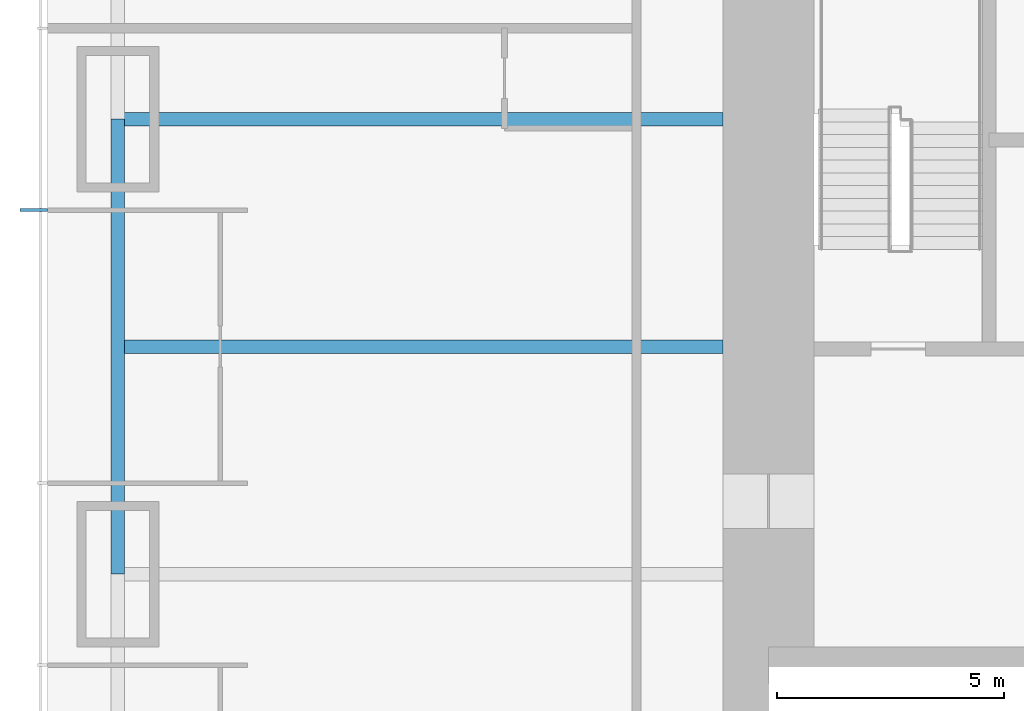
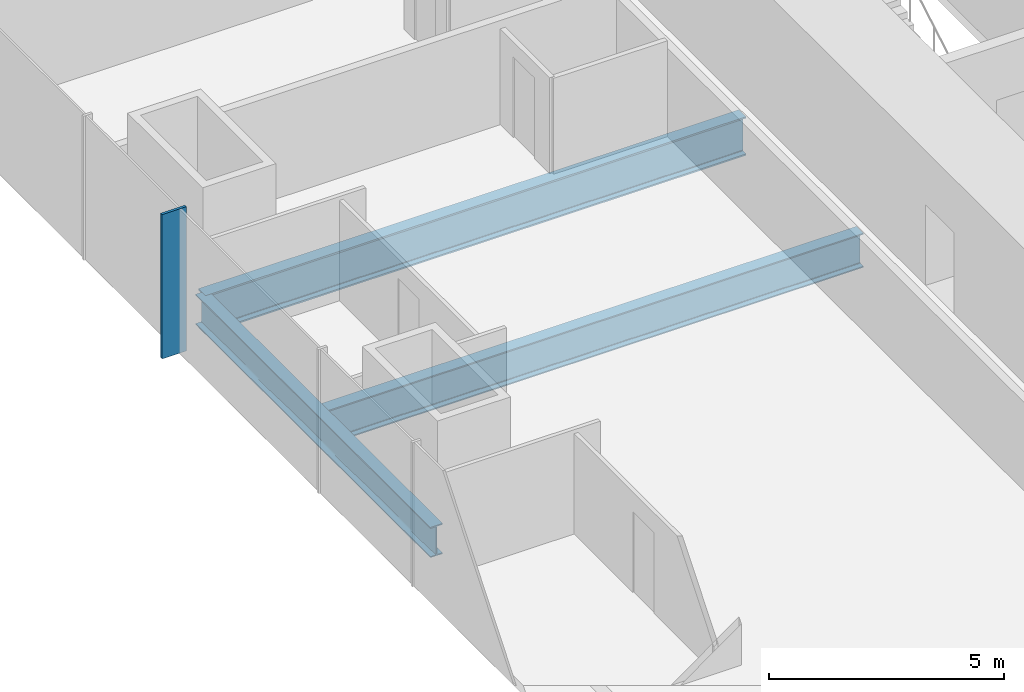
# One storey, part 3 of 17: 3 beams, 1 member, 1 element without a shape of its own.
"""IFC4 building model written with IfcOpenShell, lengths in metres."""

from ifc_helpers import new_model, si_unit, direction, frame, origin, origin_2d, place, context, subcontext, project, spatial, rectangle, i_section, extrude, material, material_profile, profile_set, type_object, element, aggregate, save


model = new_model("IFC4")

# Units and contexts
model_context = context("Model", 3, precision=1e-05, world=origin(), true_north=direction((0.0, 1.0)))
body_context = subcontext(model_context, "Body", "Model", "MODEL_VIEW")
ifc_project = project(units=[si_unit("LENGTHUNIT", "METRE"), si_unit("AREAUNIT", "SQUARE_METRE"), si_unit("VOLUMEUNIT", "CUBIC_METRE"), si_unit("PLANEANGLEUNIT", "RADIAN"), si_unit("MASSUNIT", "GRAM", prefix="KILO")], contexts=[model_context])

# Site, building, storey
site_placement = place(None, origin())
site = spatial("IfcSite", under=ifc_project, at=site_placement, CompositionType="ELEMENT")
building_placement = place(site_placement, origin())
building = spatial("IfcBuilding", under=site, at=building_placement, Name="Khuree Lantern Residences", CompositionType="ELEMENT")
storey_placement = place(building_placement, frame((0.0, 0.0, 58.5)))
storey = spatial("IfcBuildingStorey", under=building, at=storey_placement, Name="L14", CompositionType="ELEMENT", Elevation=58.5)

# Beams
ifc_material_1 = material(Name="Steel S355", Category="steel")
ifc_material_profile_1 = material_profile(ifc_material_1, i_section(OverallWidth=0.300048828125, OverallDepth=0.889892578125, WebThickness=0.01611328125, FlangeThickness=0.030029296875, FilletRadius=0.030029296875, at=origin_2d()), Name="HE 900 A")
ifc_profile_set_1 = profile_set([ifc_material_profile_1], Name="Steel S355")
beam_type_1 = type_object("IfcBeamType", Name="B-13 SECONDARY BEAM HE 900 A", PredefinedType="BEAM", material=ifc_profile_set_1)
beam_1_placement = place(storey_placement, frame((-29.800048828125, -5.0, -0.695068359375), z_axis=(1.0, 0.0, 0.0), x_axis=(0.0, 1.0, 0.0)))
element("IfcBeam", 1, at=beam_1_placement, inside=storey, type_object=beam_type_1, Name="Secondary beam W3", PredefinedType="BEAM", context=body_context, shape_type="SweptSolid", body=[
    extrude(i_section(OverallWidth=0.300048828125, OverallDepth=0.889892578125, WebThickness=0.01611328125, FlangeThickness=0.030029296875, FilletRadius=0.030029296875, at=origin_2d()), origin(), (0.0, 0.0, 1.0), 13.300048828125),
])
ifc_material_profile_2 = material_profile(ifc_material_1, i_section(OverallWidth=0.300048828125, OverallDepth=0.7900390625, WebThickness=0.014892578125, FlangeThickness=0.028076171875, FilletRadius=0.030029296875, at=origin_2d()), Name="HE 800 A")
ifc_profile_set_2 = profile_set([ifc_material_profile_2], Name="Steel S355")
beam_type_2 = type_object("IfcBeamType", Name="E-13 SPANDREL BEAM HE 800 A", PredefinedType="SPANDREL", material=ifc_profile_set_2)
beam_2_placement = place(storey_placement, frame((-29.800048828125, -10.0, -0.64501953125), z_axis=(0.0, 1.0, 0.0), x_axis=(-1.0, 0.0, 0.0)))
element("IfcBeam", 2, at=beam_2_placement, inside=storey, type_object=beam_type_2, Name="Spandrel beam W3", PredefinedType="SPANDREL", context=body_context, shape_type="SweptSolid", body=[
    extrude(i_section(OverallWidth=0.300048828125, OverallDepth=0.7900390625, WebThickness=0.014892578125, FlangeThickness=0.028076171875, FilletRadius=0.030029296875, at=origin_2d()), origin(), (0.0, 0.0, 1.0), 10.0),
])

# Curtain wall, member
ifc_material_2 = material(Name="Bronze anodised aluminium", Category="aluminium")
curtain_wall_type = type_object("IfcCurtainWallType", Name="CW-T1 TOWER FACE CURTAIN WALL", PredefinedType="USERDEFINED", material=ifc_material_2)
curtain_wall_placement = place(storey_placement, origin())
curtain_wall = element("IfcCurtainWall", 3, at=curtain_wall_placement, inside=storey, type_object=curtain_wall_type, Name="L14 WEST FACE CURTAIN WALL", ObjectType="Stick-built curtain wall", PredefinedType="USERDEFINED")
ifc_material_profile_3 = material_profile(ifc_material_2, rectangle(XDim=0.06494140625, YDim=0.60009765625, at=origin_2d()), Name="F1 65X600")
ifc_profile_set_3 = profile_set([ifc_material_profile_3], Name="Bronze anodised aluminium")
member_type = type_object("IfcMemberType", Name="F1 BRONZE FIN MULLION TOWER 65X600", PredefinedType="MULLION", material=ifc_profile_set_3)
member_placement = place(storey_placement, frame((-31.64990234375, -2.0, 0.0), z_axis=(0.0, 0.0, 1.0), x_axis=(0.0, -1.0, 0.0)))
member = element("IfcMember", 4, at=member_placement, type_object=member_type, Name="L14 WEST FACE FIN MULLION 38", PredefinedType="MULLION", context=body_context, shape_type="SweptSolid", body=[
    extrude(rectangle(XDim=0.06494140625, YDim=0.60009765625, at=origin_2d()), origin(), (0.0, 0.0, 1.0), 3.75),
])
aggregate(curtain_wall, [member])

# Beam
ifc_material_profile_4 = material_profile(ifc_material_1, i_section(OverallWidth=0.302001953125, OverallDepth=1.008056640625, WebThickness=0.02099609375, FlangeThickness=0.0400390625, FilletRadius=0.030029296875, at=origin_2d()), Name="HE 1000 M")
ifc_profile_set_4 = profile_set([ifc_material_profile_4], Name="Steel S355")
beam_type_3 = type_object("IfcBeamType", Name="G-13 GIRDER HE 1000 M", PredefinedType="BEAM", material=ifc_profile_set_4)
beam_3_placement = place(storey_placement, frame((-29.800048828125, 0.0, -0.75390625), z_axis=(1.0, 0.0, 0.0), x_axis=(0.0, 1.0, 0.0)))
element("IfcBeam", 5, at=beam_3_placement, inside=storey, type_object=beam_type_3, Name="Girder W3", PredefinedType="BEAM", context=body_context, shape_type="SweptSolid", body=[
    extrude(i_section(OverallWidth=0.302001953125, OverallDepth=1.008056640625, WebThickness=0.02099609375, FlangeThickness=0.0400390625, FilletRadius=0.030029296875, at=origin_2d()), origin(), (0.0, 0.0, 1.0), 13.300048828125),
])

save(model, "model.ifc")
